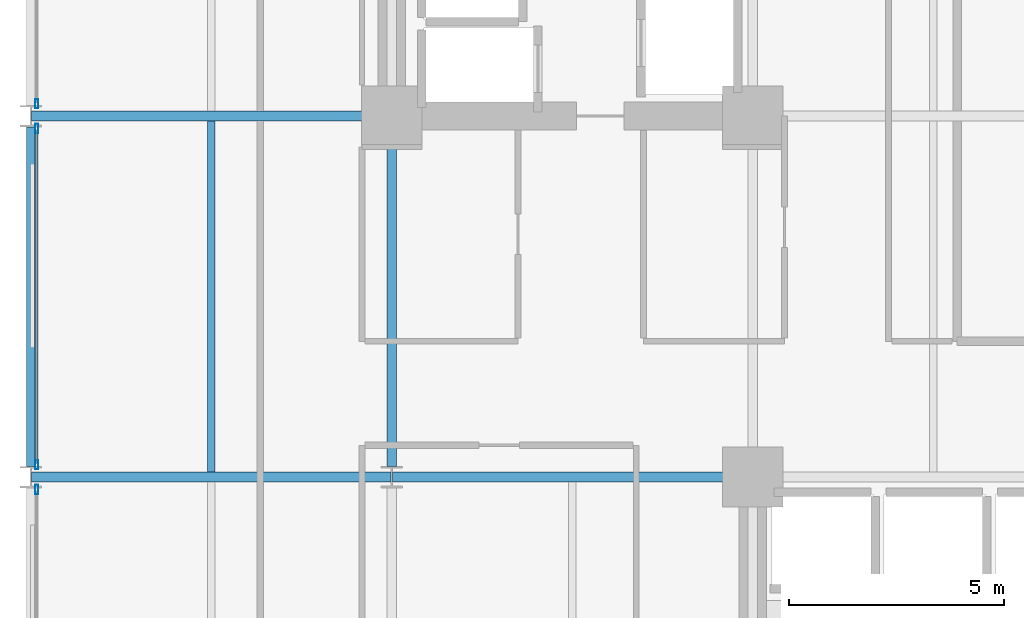
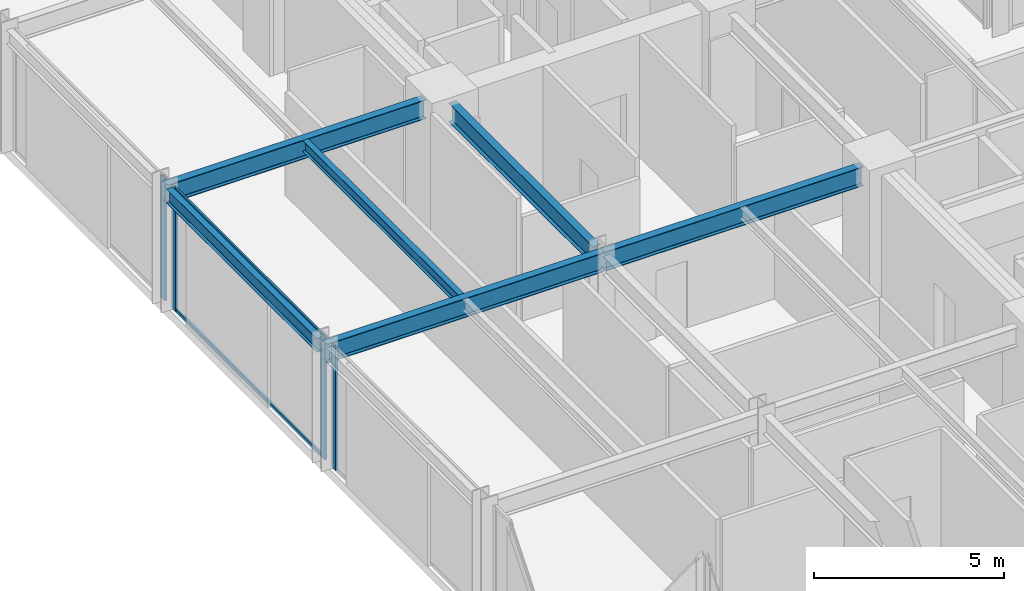
# One storey, part 8 of 26: 6 beams, 6 members, 3 elements without a shape of their own.
"""IFC4 building model written with IfcOpenShell, lengths in metres."""

from ifc_helpers import new_model, si_unit, direction, frame, origin, origin_2d, place, context, subcontext, project, spatial, hollow_rectangle, i_section, extrude, material, layer, layer_set, material_profile, profile_set, type_object, element, aggregate, save


model = new_model("IFC4")

# Units and contexts
model_context = context("Model", 3, precision=1e-05, world=origin(), true_north=direction((0.0, 1.0)))
body_context = subcontext(model_context, "Body", "Model", "MODEL_VIEW")
ifc_project = project(units=[si_unit("LENGTHUNIT", "METRE"), si_unit("AREAUNIT", "SQUARE_METRE"), si_unit("VOLUMEUNIT", "CUBIC_METRE"), si_unit("PLANEANGLEUNIT", "RADIAN"), si_unit("MASSUNIT", "GRAM", prefix="KILO")], contexts=[model_context])

# Site, building, storey
site_placement = place(None, origin())
site = spatial("IfcSite", under=ifc_project, at=site_placement, CompositionType="ELEMENT")
building_placement = place(site_placement, origin())
building = spatial("IfcBuilding", under=site, at=building_placement, Name="Nerrivon Quay Data Exchange", CompositionType="ELEMENT")
storey_placement = place(building_placement, frame((0.0, 0.0, 71.0)))
storey = spatial("IfcBuildingStorey", under=building, at=storey_placement, Name="L16", CompositionType="ELEMENT", Elevation=71.0)

# Beams
ifc_material_1 = material(Name="Steel Grade 350", Category="steel")
ifc_material_profile_1 = material_profile(ifc_material_1, i_section(OverallWidth=0.22900390625, OverallDepth=0.612060546875, WebThickness=0.011962890625, FlangeThickness=0.01953125, FilletRadius=0.013916015625, at=origin_2d()), Name="610UB125")
ifc_profile_set_1 = profile_set([ifc_material_profile_1], Name="Steel Grade 350")
beam_type_1 = type_object("IfcBeamType", Name="BM-G1-610UB125", PredefinedType="BEAM", material=ifc_profile_set_1)
beam_1_placement = place(storey_placement, frame((0.013916015625, 16.800048828125, 3.618896484375), z_axis=(1.0, 0.0, 0.0), x_axis=(0.0, 1.0, 0.0)))
element("IfcBeam", 1, at=beam_1_placement, inside=storey, type_object=beam_type_1, Name="L16 EW Girder Y=16.8 (0.0..8.4)", PredefinedType="BEAM", context=body_context, shape_type="SweptSolid", body=[
    extrude(i_section(OverallWidth=0.22900390625, OverallDepth=0.612060546875, WebThickness=0.011962890625, FlangeThickness=0.01953125, FilletRadius=0.013916015625, at=origin_2d()), origin(), (0.0, 0.0, 1.0), 8.3720703125),
])
beam_2_placement = place(storey_placement, frame((8.4140625, 16.800048828125, 3.618896484375), z_axis=(1.0, 0.0, 0.0), x_axis=(0.0, 1.0, 0.0)))
element("IfcBeam", 2, at=beam_2_placement, inside=storey, type_object=beam_type_1, Name="L16 EW Girder Y=16.8 (8.4..16.8)", PredefinedType="BEAM", context=body_context, shape_type="SweptSolid", body=[
    extrude(i_section(OverallWidth=0.22900390625, OverallDepth=0.612060546875, WebThickness=0.011962890625, FlangeThickness=0.01953125, FilletRadius=0.013916015625, at=origin_2d()), origin(), (0.0, 0.0, 1.0), 7.845947265625),
])
beam_3_placement = place(storey_placement, frame((0.013916015625, 25.199951171875, 3.618896484375), z_axis=(1.0, 0.0, 0.0), x_axis=(0.0, 1.0, 0.0)))
element("IfcBeam", 3, at=beam_3_placement, inside=storey, type_object=beam_type_1, Name="L16 EW Girder Y=25.2 (0.0..8.4)", PredefinedType="BEAM", context=body_context, shape_type="SweptSolid", body=[
    extrude(i_section(OverallWidth=0.22900390625, OverallDepth=0.612060546875, WebThickness=0.011962890625, FlangeThickness=0.01953125, FilletRadius=0.013916015625, at=origin_2d()), origin(), (0.0, 0.0, 1.0), 7.84619140625),
])
ifc_material_profile_2 = material_profile(ifc_material_1, i_section(OverallWidth=0.22802734375, OverallDepth=0.60205078125, WebThickness=0.010498046875, FlangeThickness=0.014892578125, FilletRadius=0.013916015625, at=origin_2d()), Name="610UB101")
ifc_profile_set_2 = profile_set([ifc_material_profile_2], Name="Steel Grade 350")
beam_type_2 = type_object("IfcBeamType", Name="BM-G2-610UB101", PredefinedType="BEAM", material=ifc_profile_set_2)
beam_4_placement = place(storey_placement, frame((8.39990234375, 17.050048828125, 3.6240234375), z_axis=(0.0, 1.0, 0.0), x_axis=(-1.0, 0.0, 0.0)))
element("IfcBeam", 4, at=beam_4_placement, inside=storey, type_object=beam_type_2, Name="L16 NS Girder X=8.4 (16.8..25.2)", PredefinedType="BEAM", context=body_context, shape_type="SweptSolid", body=[
    extrude(i_section(OverallWidth=0.22802734375, OverallDepth=0.60205078125, WebThickness=0.010498046875, FlangeThickness=0.014892578125, FilletRadius=0.013916015625, at=origin_2d()), origin(), (0.0, 0.0, 1.0), 7.60986328125),
])
ifc_material_profile_3 = material_profile(ifc_material_1, i_section(OverallWidth=0.172119140625, OverallDepth=0.35888671875, WebThickness=0.008056640625, FlangeThickness=0.012939453125, FilletRadius=0.011474609375, at=origin_2d()), Name="360UB56.7")
ifc_profile_set_3 = profile_set([ifc_material_profile_3], Name="Steel Grade 350")
beam_type_3 = type_object("IfcBeamType", Name="BM-J3-360UB57", PredefinedType="JOIST", material=ifc_profile_set_3)
beam_5_placement = place(storey_placement, frame((4.199951171875, 16.91455078125, 3.74560546875), z_axis=(0.0, 1.0, 0.0), x_axis=(-1.0, 0.0, 0.0)))
element("IfcBeam", 5, at=beam_5_placement, inside=storey, type_object=beam_type_3, Name="L16 Secondary Joist X=4.2 (16.8..25.2)", PredefinedType="JOIST", context=body_context, shape_type="SweptSolid", body=[
    extrude(i_section(OverallWidth=0.172119140625, OverallDepth=0.35888671875, WebThickness=0.008056640625, FlangeThickness=0.012939453125, FilletRadius=0.011474609375, at=origin_2d()), origin(), (0.0, 0.0, 1.0), 8.1708984375),
])
ifc_material_profile_4 = material_profile(ifc_material_1, i_section(OverallWidth=0.18994140625, OverallDepth=0.4541015625, WebThickness=0.008544921875, FlangeThickness=0.0126953125, FilletRadius=0.011474609375, at=origin_2d()), Name="460UB67.1")
ifc_profile_set_4 = profile_set([ifc_material_profile_4], Name="Steel Grade 350")
beam_type_4 = type_object("IfcBeamType", Name="BM-SP1-460UB67", PredefinedType="SPANDREL", material=ifc_profile_set_4)
beam_6_placement = place(storey_placement, frame((0.0, 17.050048828125, 3.697998046875), z_axis=(0.0, 1.0, 0.0), x_axis=(-1.0, 0.0, 0.0)))
element("IfcBeam", 6, at=beam_6_placement, inside=storey, type_object=beam_type_4, Name="L16 NS Girder X=0.0 (16.8..25.2)", PredefinedType="SPANDREL", context=body_context, shape_type="SweptSolid", body=[
    extrude(i_section(OverallWidth=0.18994140625, OverallDepth=0.4541015625, WebThickness=0.008544921875, FlangeThickness=0.0126953125, FilletRadius=0.011474609375, at=origin_2d()), origin(), (0.0, 0.0, 1.0), 7.89990234375),
])

# Curtain wall, member
ifc_material_2 = material(Name="Anodised aluminium 6063-T6", Category="aluminium")
ifc_layer = layer(ifc_material_2, 0.219970703125)
ifc_layer_set = layer_set([ifc_layer], Name="Anodised aluminium 6063-T6")
curtain_wall_type = type_object("IfcCurtainWallType", Name="CW-SYS-01", PredefinedType="NOTDEFINED", material=ifc_layer_set)
curtain_wall_1_placement = place(storey_placement, origin())
curtain_wall_1 = element("IfcCurtainWall", 7, at=curtain_wall_1_placement, inside=storey, type_object=curtain_wall_type, Name="L16 Unitised Curtain Wall 18", PredefinedType="NOTDEFINED")
ifc_material_profile_5 = material_profile(ifc_material_2, hollow_rectangle(XDim=0.074951171875, YDim=0.219970703125, WallThickness=0.00390625, at=origin_2d()), Name="ALU-MULL-220x75")
ifc_profile_set_5 = profile_set([ifc_material_profile_5], Name="Anodised aluminium 6063-T6")
member_type_1 = type_object("IfcMemberType", Name="CWM-220x75", PredefinedType="MULLION", material=ifc_profile_set_5)
member_1_placement = place(storey_placement, frame((0.139892578125, 16.512451171875, 0.0), z_axis=(0.0, 0.0, 1.0), x_axis=(-1.0, 0.0, 0.0)))
member_1 = element("IfcMember", 8, at=member_1_placement, type_object=member_type_1, Name="CW01 mullion 2", PredefinedType="MULLION", context=body_context, shape_type="SweptSolid", body=[
    extrude(hollow_rectangle(XDim=0.074951171875, YDim=0.219970703125, WallThickness=0.00390625, at=origin_2d()), origin(), (0.0, 0.0, 1.0), 3.925048828125),
])
aggregate(curtain_wall_1, [member_1])

# Curtain wall, members
curtain_wall_2_placement = place(storey_placement, origin())
curtain_wall_2 = element("IfcCurtainWall", 9, at=curtain_wall_2_placement, inside=storey, type_object=curtain_wall_type, Name="L16 Unitised Curtain Wall 19", PredefinedType="NOTDEFINED")
member_2_placement = place(storey_placement, frame((0.139892578125, 17.08740234375, 0.0), z_axis=(0.0, 0.0, 1.0), x_axis=(-1.0, 0.0, 0.0)))
member_2 = element("IfcMember", 10, at=member_2_placement, type_object=member_type_1, Name="CW01 mullion 1", PredefinedType="MULLION", context=body_context, shape_type="SweptSolid", body=[
    extrude(hollow_rectangle(XDim=0.074951171875, YDim=0.219970703125, WallThickness=0.00390625, at=origin_2d()), origin(), (0.0, 0.0, 1.0), 3.925048828125),
])
member_3_placement = place(storey_placement, frame((0.139892578125, 24.91259765625, 0.0), z_axis=(0.0, 0.0, 1.0), x_axis=(-1.0, 0.0, 0.0)))
member_3 = element("IfcMember", 11, at=member_3_placement, type_object=member_type_1, Name="CW01 mullion 2", PredefinedType="MULLION", context=body_context, shape_type="SweptSolid", body=[
    extrude(hollow_rectangle(XDim=0.074951171875, YDim=0.219970703125, WallThickness=0.00390625, at=origin_2d()), origin(), (0.0, 0.0, 1.0), 3.925048828125),
])

# Curtain wall, member
curtain_wall_3_placement = place(storey_placement, origin())
curtain_wall_3 = element("IfcCurtainWall", 12, at=curtain_wall_3_placement, inside=storey, type_object=curtain_wall_type, Name="L16 Unitised Curtain Wall 20", PredefinedType="NOTDEFINED")
member_4_placement = place(storey_placement, frame((0.139892578125, 25.487548828125, 0.0), z_axis=(0.0, 0.0, 1.0), x_axis=(-1.0, 0.0, 0.0)))
member_4 = element("IfcMember", 13, at=member_4_placement, type_object=member_type_1, Name="CW01 mullion 1", PredefinedType="MULLION", context=body_context, shape_type="SweptSolid", body=[
    extrude(hollow_rectangle(XDim=0.074951171875, YDim=0.219970703125, WallThickness=0.00390625, at=origin_2d()), origin(), (0.0, 0.0, 1.0), 3.925048828125),
])
aggregate(curtain_wall_3, [member_4])

# Member
ifc_material_profile_6 = material_profile(ifc_material_2, hollow_rectangle(XDim=0.06005859375, YDim=0.1201171875, WallThickness=0.003173828125, at=origin_2d()), Name="ALU-TRAN-120x60")
ifc_profile_set_6 = profile_set([ifc_material_profile_6], Name="Anodised aluminium 6063-T6")
member_type_2 = type_object("IfcMemberType", Name="CWT-120x60", PredefinedType="USERDEFINED", material=ifc_profile_set_6)
member_5_placement = place(storey_placement, frame((0.139892578125, 17.125, 0.032470703125), z_axis=(0.0, 1.0, 0.0), x_axis=(-1.0, 0.0, 0.0)))
member_5 = element("IfcMember", 14, at=member_5_placement, type_object=member_type_2, Name="CW01 transom 1.1", ObjectType="TRANSOM", PredefinedType="USERDEFINED", context=body_context, shape_type="SweptSolid", body=[
    extrude(hollow_rectangle(XDim=0.06005859375, YDim=0.1201171875, WallThickness=0.003173828125, at=origin_2d()), origin(), (0.0, 0.0, 1.0), 7.75),
])

member_6_placement = place(storey_placement, frame((0.139892578125, 17.125, 3.892578125), z_axis=(0.0, 1.0, 0.0), x_axis=(-1.0, 0.0, 0.0)))
member_6 = element("IfcMember", 15, at=member_6_placement, type_object=member_type_2, Name="CW01 transom 1.2", ObjectType="TRANSOM", PredefinedType="USERDEFINED", context=body_context, shape_type="SweptSolid", body=[
    extrude(hollow_rectangle(XDim=0.06005859375, YDim=0.1201171875, WallThickness=0.003173828125, at=origin_2d()), origin(), (0.0, 0.0, 1.0), 7.75),
])

aggregate(curtain_wall_2, [member_2, member_3, member_5, member_6])

save(model, "model.ifc")
